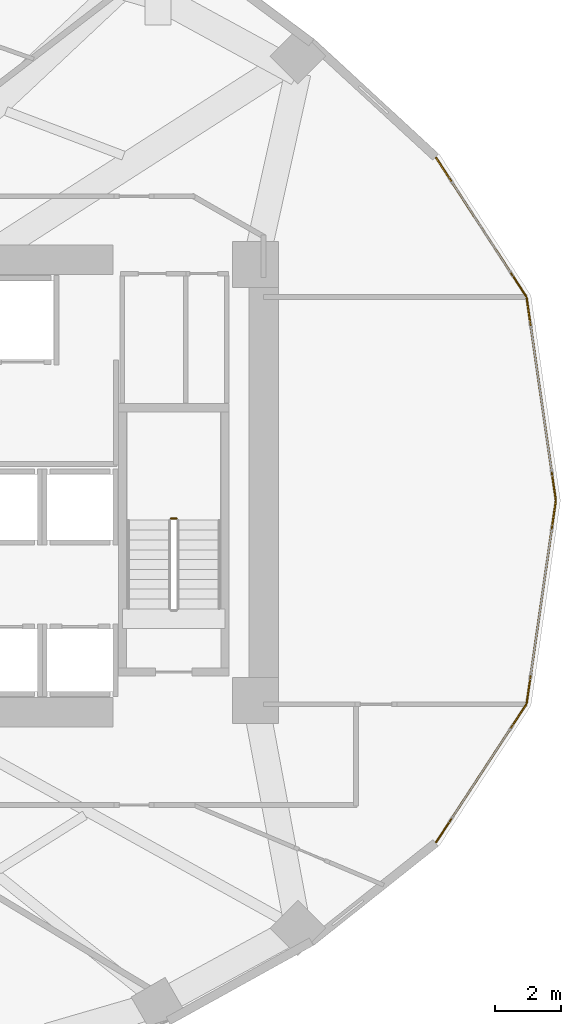
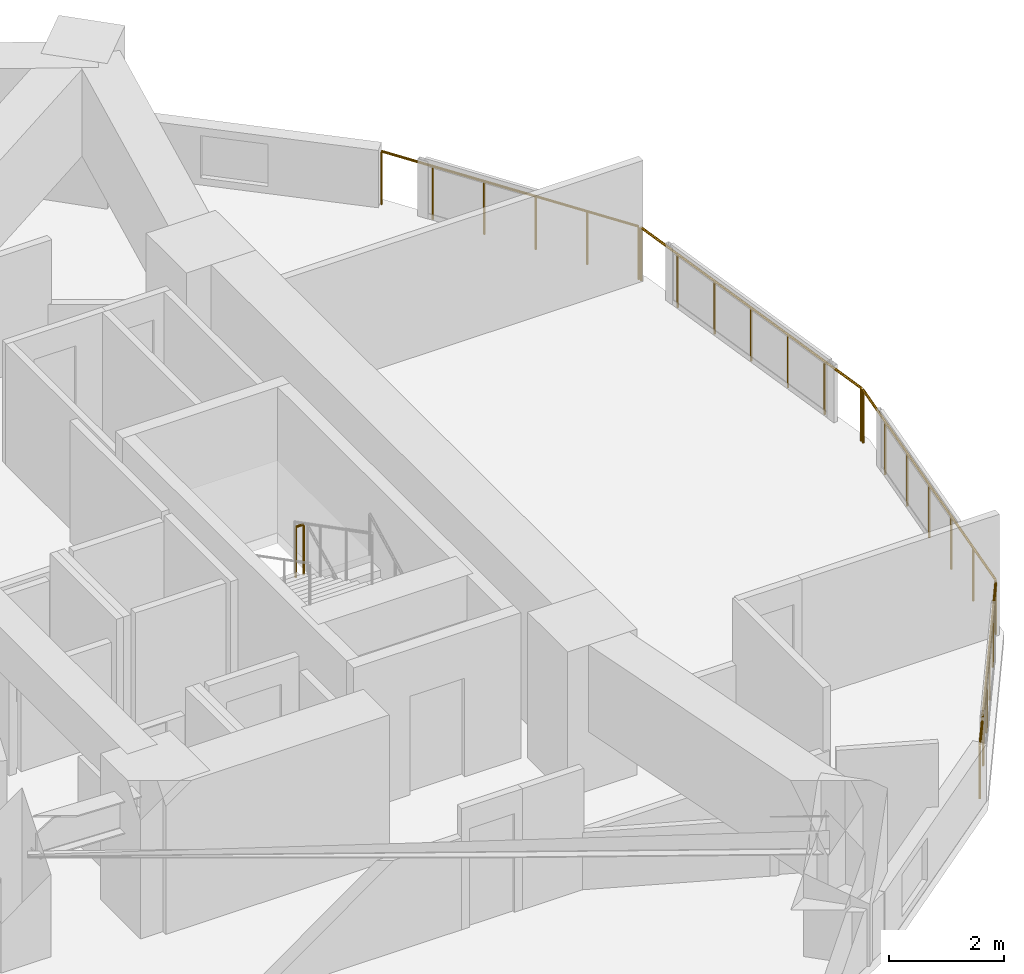
# One storey, part 21 of 22: 5 railings.
"""IFC4 building model written with IfcOpenShell, lengths in metres."""

from ifc_helpers import new_model, si_unit, direction, frame, origin, origin_2d, place, context, subcontext, project, spatial, circle, extrude, material, type_object, element, save


model = new_model("IFC4")

# Units and contexts
model_context = context("Model", 3, precision=1e-05, world=origin(), true_north=direction((0.0, 1.0)))
body_context = subcontext(model_context, "Body", "Model", "MODEL_VIEW")
ifc_project = project(units=[si_unit("LENGTHUNIT", "METRE"), si_unit("AREAUNIT", "SQUARE_METRE"), si_unit("VOLUMEUNIT", "CUBIC_METRE"), si_unit("PLANEANGLEUNIT", "RADIAN"), si_unit("MASSUNIT", "GRAM", prefix="KILO")], contexts=[model_context])

# Site, building, storey
site_placement = place(None, origin())
site = spatial("IfcSite", under=ifc_project, at=site_placement, CompositionType="ELEMENT")
building_placement = place(site_placement, origin())
building = spatial("IfcBuilding", under=site, at=building_placement, Name="Solvane Sanctuary Tower", CompositionType="ELEMENT")
storey_placement = place(building_placement, frame((0.0, 0.0, 43.10009765625)))
storey = spatial("IfcBuildingStorey", under=building, at=storey_placement, Name="L12", CompositionType="ELEMENT", Elevation=43.10009765625)

# Railings
ifc_material = material(Name="Architectural Stainless Steel 316", Category="steel")
railing_type = type_object("IfcRailingType", Name="Railing GR-BALC-1150", PredefinedType="BALUSTRADE", material=ifc_material)
railing_1_placement = place(storey_placement, frame((57.855712890625, 23.02978515625, 0.0)))
element("IfcRailing", 1, at=railing_1_placement, inside=storey, type_object=railing_type, Name="L12 Curtain-Wall Perimeter Sill Guard 00", PredefinedType="BALUSTRADE", context=body_context, shape_type="SweptSolid", body=[
    extrude(circle(Radius=0.02392578125, at=origin_2d()), frame((0.0, 0.0, 1.1259765625), z_axis=(-0.142533222758, 0.989790018342, 0.0), x_axis=(-0.989790018342, -0.142533222758, 0.0)), (0.0, 0.0, 1.0), 6.209228515625),
    extrude(circle(Radius=0.02099609375, at=origin_2d()), origin(), (0.0, 0.0, 1.0), 1.101806640625),
    extrude(circle(Radius=0.02099609375, at=origin_2d()), frame((-0.1474609375, 1.0244140625, 0.0)), (0.0, 0.0, 1.0), 1.101806640625),
    extrude(circle(Radius=0.02099609375, at=origin_2d()), frame((-0.294921875, 2.048583984375, 0.0)), (0.0, 0.0, 1.0), 1.101806640625),
    extrude(circle(Radius=0.02099609375, at=origin_2d()), frame((-0.4423828125, 3.07275390625, 0.0)), (0.0, 0.0, 1.0), 1.101806640625),
    extrude(circle(Radius=0.02099609375, at=origin_2d()), frame((-0.590087890625, 4.09716796875, 0.0)), (0.0, 0.0, 1.0), 1.101806640625),
    extrude(circle(Radius=0.02099609375, at=origin_2d()), frame((-0.737548828125, 5.12158203125, 0.0)), (0.0, 0.0, 1.0), 1.101806640625),
    extrude(circle(Radius=0.02099609375, at=origin_2d()), frame((-0.885009765625, 6.145751953125, 0.0)), (0.0, 0.0, 1.0), 1.101806640625),
])
railing_2_placement = place(storey_placement, frame((56.9501953125, 29.23046875, 0.0)))
element("IfcRailing", 2, at=railing_2_placement, inside=storey, type_object=railing_type, Name="L12 Curtain-Wall Perimeter Sill Guard 01", PredefinedType="BALUSTRADE", context=body_context, shape_type="SweptSolid", body=[
    extrude(circle(Radius=0.02392578125, at=origin_2d()), frame((0.0, 0.0, 1.1259765625), z_axis=(-0.54457042474, 0.838715119989, 0.0), x_axis=(-0.838715119989, -0.54457042474, 0.0)), (0.0, 0.0, 1.0), 5.031494140625),
    extrude(circle(Radius=0.02099609375, at=origin_2d()), origin(), (0.0, 0.0, 1.0), 1.101806640625),
    extrude(circle(Radius=0.02099609375, at=origin_2d()), frame((-0.548095703125, 0.843994140625, 0.0)), (0.0, 0.0, 1.0), 1.101806640625),
    extrude(circle(Radius=0.02099609375, at=origin_2d()), frame((-1.095947265625, 1.68798828125, 0.0)), (0.0, 0.0, 1.0), 1.101806640625),
    extrude(circle(Radius=0.02099609375, at=origin_2d()), frame((-1.64404296875, 2.531982421875, 0.0)), (0.0, 0.0, 1.0), 1.101806640625),
    extrude(circle(Radius=0.02099609375, at=origin_2d()), frame((-2.19189453125, 3.3759765625, 0.0)), (0.0, 0.0, 1.0), 1.101806640625),
    extrude(circle(Radius=0.02099609375, at=origin_2d()), frame((-2.739990234375, 4.219970703125, 0.0)), (0.0, 0.0, 1.0), 1.101806640625),
])
railing_3_placement = place(storey_placement, frame((54.210205078125, 12.583984375, 0.0)))
element("IfcRailing", 3, at=railing_3_placement, inside=storey, type_object=railing_type, Name="L12 Curtain-Wall Perimeter Sill Guard 22", PredefinedType="BALUSTRADE", context=body_context, shape_type="SweptSolid", body=[
    extrude(circle(Radius=0.02392578125, at=origin_2d()), frame((0.0, 0.0, 1.1259765625), z_axis=(0.547709489546, 0.836668581376, 0.0), x_axis=(-0.836668581376, 0.547709489546, 0.0)), (0.0, 0.0, 1.0), 5.002685546875),
    extrude(circle(Radius=0.02099609375, at=origin_2d()), origin(), (0.0, 0.0, 1.0), 1.101806640625),
    extrude(circle(Radius=0.02099609375, at=origin_2d()), frame((0.548095703125, 0.837158203125, 0.0)), (0.0, 0.0, 1.0), 1.101806640625),
    extrude(circle(Radius=0.02099609375, at=origin_2d()), frame((1.095947265625, 1.67431640625, 0.0)), (0.0, 0.0, 1.0), 1.101806640625),
    extrude(circle(Radius=0.02099609375, at=origin_2d()), frame((1.64404296875, 2.51123046875, 0.0)), (0.0, 0.0, 1.0), 1.101806640625),
    extrude(circle(Radius=0.02099609375, at=origin_2d()), frame((2.19189453125, 3.348388671875, 0.0)), (0.0, 0.0, 1.0), 1.101806640625),
    extrude(circle(Radius=0.02099609375, at=origin_2d()), frame((2.739990234375, 4.185546875, 0.0)), (0.0, 0.0, 1.0), 1.101806640625),
])
railing_4_placement = place(storey_placement, frame((56.970703125, 16.824462890625, 0.0)))
element("IfcRailing", 4, at=railing_4_placement, inside=storey, type_object=railing_type, Name="L12 Curtain-Wall Perimeter Sill Guard 23", PredefinedType="BALUSTRADE", context=body_context, shape_type="SweptSolid", body=[
    extrude(circle(Radius=0.02392578125, at=origin_2d()), frame((0.0, 0.0, 1.1259765625), z_axis=(0.142533222758, 0.989790018342, 0.0), x_axis=(-0.989790018342, 0.142533222758, 0.0)), (0.0, 0.0, 1.0), 6.209228515625),
    extrude(circle(Radius=0.02099609375, at=origin_2d()), origin(), (0.0, 0.0, 1.0), 1.101806640625),
    extrude(circle(Radius=0.02099609375, at=origin_2d()), frame((0.1474609375, 1.0244140625, 0.0)), (0.0, 0.0, 1.0), 1.101806640625),
    extrude(circle(Radius=0.02099609375, at=origin_2d()), frame((0.294921875, 2.048583984375, 0.0)), (0.0, 0.0, 1.0), 1.101806640625),
    extrude(circle(Radius=0.02099609375, at=origin_2d()), frame((0.4423828125, 3.07275390625, 0.0)), (0.0, 0.0, 1.0), 1.101806640625),
    extrude(circle(Radius=0.02099609375, at=origin_2d()), frame((0.590087890625, 4.09716796875, 0.0)), (0.0, 0.0, 1.0), 1.101806640625),
    extrude(circle(Radius=0.02099609375, at=origin_2d()), frame((0.737548828125, 5.12158203125, 0.0)), (0.0, 0.0, 1.0), 1.101806640625),
    extrude(circle(Radius=0.02099609375, at=origin_2d()), frame((0.885009765625, 6.145751953125, 0.0)), (0.0, 0.0, 1.0), 1.101806640625),
])
railing_5_placement = place(storey_placement, frame((46.2900390625, 22.449951171875, 1.5498046875)))
element("IfcRailing", 5, at=railing_5_placement, inside=storey, type_object=railing_type, Name="L12 ST-2 stair guard 2", PredefinedType="BALUSTRADE", context=body_context, shape_type="SweptSolid", body=[
    extrude(circle(Radius=0.02392578125, at=origin_2d()), frame((0.0, 0.0, 1.076171875), z_axis=(-1.0, 0.0, 0.0), x_axis=(0.0, -1.0, 0.0)), (0.0, 0.0, 1.0), 0.16015625),
    extrude(circle(Radius=0.02099609375, at=origin_2d()), origin(), (0.0, 0.0, 1.0), 1.052001953125),
    extrude(circle(Radius=0.02099609375, at=origin_2d()), frame((-0.16015625, 0.0, 0.0)), (0.0, 0.0, 1.0), 1.052001953125),
])

save(model, "model.ifc")
